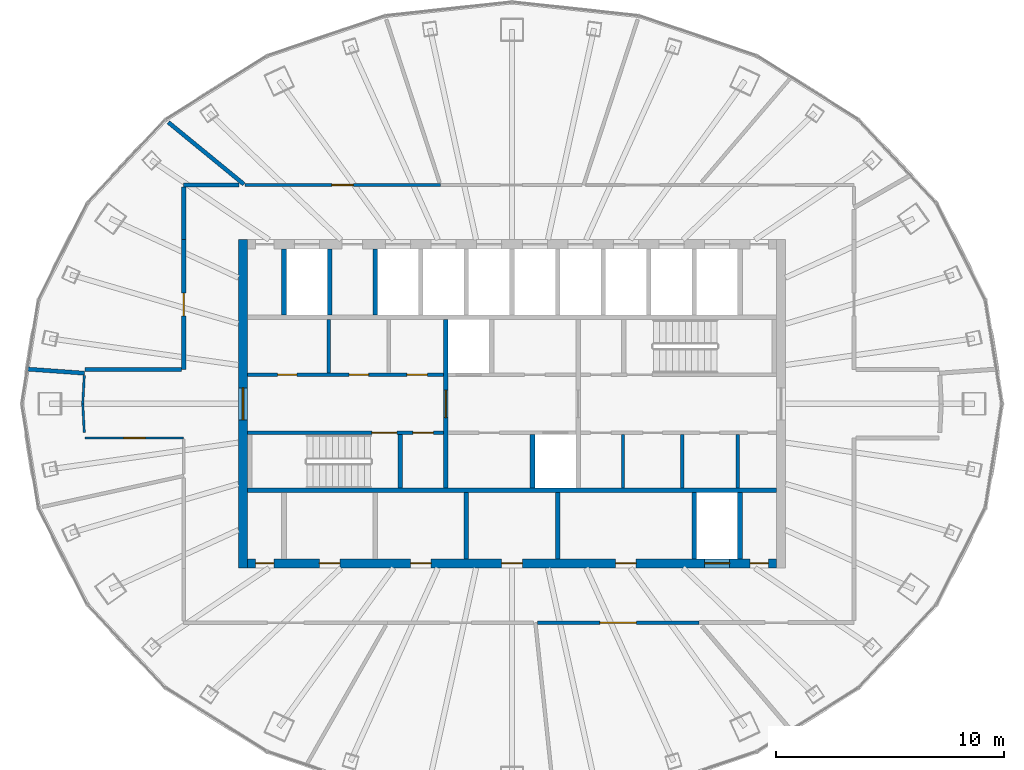
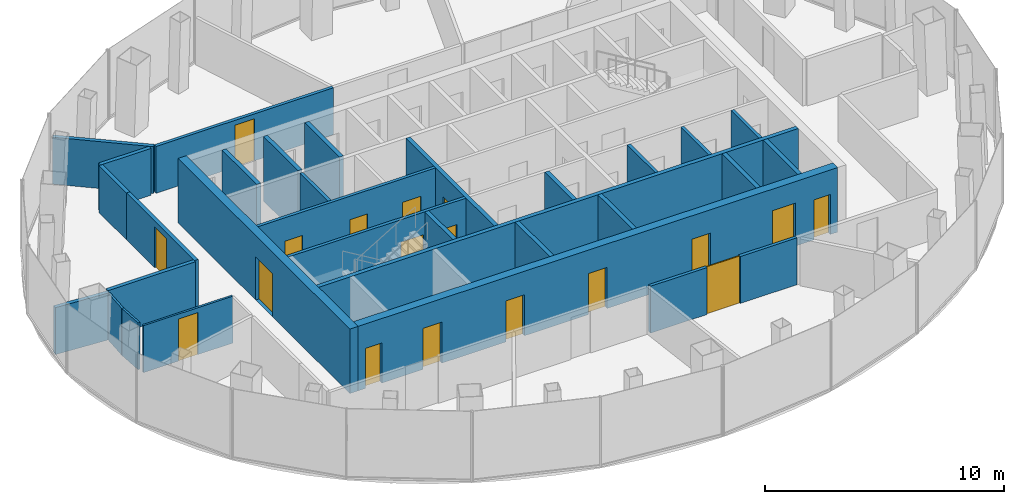
# One storey, part 9 of 12: 30 walls, 18 doors, 18 openings.
"""IFC4 building model written with IfcOpenShell, lengths in metres."""

from ifc_helpers import new_model, si_unit, direction, frame, frame_2d, origin, place, context, subcontext, project, spatial, rectangle, extrude, material, layer, layer_set, type_object, element, fill, save


model = new_model("IFC4")

# Units and contexts
model_context = context("Model", 3, precision=1e-05, world=origin(), true_north=direction((0.0, 1.0)))
body_context = subcontext(model_context, "Body", "Model", "MODEL_VIEW")
ifc_project = project(units=[si_unit("LENGTHUNIT", "METRE"), si_unit("AREAUNIT", "SQUARE_METRE"), si_unit("VOLUMEUNIT", "CUBIC_METRE"), si_unit("PLANEANGLEUNIT", "RADIAN"), si_unit("MASSUNIT", "GRAM", prefix="KILO")], contexts=[model_context])

# Site, building, storey
site_placement = place(None, origin())
site = spatial("IfcSite", under=ifc_project, at=site_placement, CompositionType="ELEMENT")
building_placement = place(site_placement, origin())
building = spatial("IfcBuilding", under=site, at=building_placement, Name="Siaravel Broadcast Tower", CompositionType="ELEMENT")
storey_placement = place(building_placement, frame((0.0, 0.0, 235.60009765625)))
storey = spatial("IfcBuildingStorey", under=building, at=storey_placement, Name="L57", CompositionType="ELEMENT", Elevation=235.60009765625)

# Walls
ifc_material_1 = material(Name="Concrete blockwork", Category="masonry")
ifc_layer_1 = layer(ifc_material_1, 0.14990234375)
ifc_layer_set_1 = layer_set([ifc_layer_1], Name="Concrete blockwork")
wall_type_1 = type_object("IfcWallType", Name="Core partition 150", PredefinedType="PARTITIONING", material=ifc_layer_set_1)
for number, where, z_axis, x_axis, name in (
    (1, (-8.0390625, 1.35009765625, 0.0), (0.0, 0.0, 1.0), (0.0, 1.0, 0.0), "L57 core partition PNW0"),
    (2, (4.867919921875, -3.699951171875, 0.0), (0.0, 0.0, 1.0), (0.0, 1.0, 0.0), "L57 core partition PSE0"),
    (3, (7.462890625, -3.699951171875, 0.0), (0.0, 0.0, 1.0), (0.0, 1.0, 0.0), "L57 core partition PSE1"),
    (4, (9.89501953125, -3.699951171875, 0.0), (0.0, 0.0, 1.0), (0.0, 1.0, 0.0), "L57 core partition PSE2"),
):
    element("IfcWall", number, at=place(storey_placement, frame(where, z_axis=z_axis, x_axis=x_axis)), inside=storey, type_object=wall_type_1, Name=name, PredefinedType="PARTITIONING", context=body_context, shape_type="SweptSolid", body=[
        extrude(rectangle(XDim=2.349853515625, YDim=0.14990234375, at=frame_2d((1.1748046875, 0.0))), origin(), (0.0, 0.0, 1.0), 3.2998046875),
    ])
ifc_layer_2 = layer(ifc_material_1, 0.199951171875)
ifc_layer_set_2 = layer_set([ifc_layer_2], Name="Concrete blockwork")
wall_type_2 = type_object("IfcWallType", Name="Core partition 200", PredefinedType="PARTITIONING", material=ifc_layer_set_2)
for number, where, z_axis, x_axis, name in (
    (5, (-2.0, -6.800048828125, 0.0), (0.0, 0.0, 1.0), (0.0, 1.0, 0.0), "L57 core partition PFS2"),
    (6, (2.0, -6.800048828125, 0.0), (0.0, 0.0, 1.0), (0.0, 1.0, 0.0), "L57 core partition PFS4"),
):
    element("IfcWall", number, at=place(storey_placement, frame(where, z_axis=z_axis, x_axis=x_axis)), inside=storey, type_object=wall_type_2, Name=name, PredefinedType="PARTITIONING", context=body_context, shape_type="SweptSolid", body=[
        extrude(rectangle(XDim=2.900146484375, YDim=0.199951171875, at=frame_2d((1.4501953125, 0.0))), origin(), (0.0, 0.0, 1.0), 3.2998046875),
    ])

# Wall, opening, door
ifc_material_2 = material(Name="Concrete C60/75", Category="concrete")
ifc_layer_3 = layer(ifc_material_2, 0.39990234375)
ifc_layer_set_3 = layer_set([ifc_layer_3], Name="Concrete C60/75")
wall_type_3 = type_object("IfcWallType", Name="Core wall 400", PredefinedType="SHEAR", material=ifc_layer_set_3)
wall_1_placement = place(storey_placement, frame((-11.800048828125, -7.199951171875, 0.0), z_axis=(0.0, 0.0, 1.0), x_axis=(0.0, 1.0, 0.0)))
wall_1 = element("IfcWall", 7, at=wall_1_placement, inside=storey, type_object=wall_type_3, Name="L57 core wall OW", PredefinedType="SHEAR", context=body_context, shape_type="SweptSolid", body=[
    extrude(rectangle(XDim=14.39990234375, YDim=0.39990234375, at=frame_2d((7.199951171875, 0.0))), origin(), (0.0, 0.0, 1.0), 3.2998046875),
])
opening_1_placement = place(wall_1_placement, frame((6.5, 0.0, 0.0)))
opening_1 = element("IfcOpeningElement", 8, at=opening_1_placement, cuts=wall_1, Name="Opening L57-DX-W", PredefinedType="OPENING", context=body_context, shape_type="SweptSolid", body=[
    extrude(rectangle(XDim=1.39990234375, YDim=2.199951171875, at=frame_2d((0.699951171875, 1.10009765625))), frame((0.0, 0.2099609375, 0.0), z_axis=(0.0, -1.0, 0.0), x_axis=(1.0, 0.0, 0.0)), (0.0, 0.0, 1.0), 0.419921875),
])
ifc_material_3 = material(Name="Steel", Category="steel")
door_type_1 = type_object("IfcDoorType", Name="Core exit door 1400", OperationType="DOUBLE_DOOR_SINGLE_SWING", PredefinedType="DOOR", material=ifc_material_3)
door_1_placement = place(opening_1_placement, origin())
door_1 = element("IfcDoor", 9, at=door_1_placement, inside=storey, type_object=door_type_1, Name="L57 door DX-W", OperationType="DOUBLE_DOOR_SINGLE_SWING", OverallHeight=2.199951171875, OverallWidth=1.39990234375, PredefinedType="DOOR", context=body_context, shape_type="SweptSolid", body=[
    extrude(rectangle(XDim=1.39990234375, YDim=2.199951171875, at=frame_2d((0.699951171875, 1.10009765625))), frame((0.0, 0.02490234375, 0.0), z_axis=(0.0, -1.0, 0.0), x_axis=(1.0, 0.0, 0.0)), (0.0, 0.0, 1.0), 0.050048828125),
])
fill(opening_1, door_1)

# Wall, openings, doors
wall_2_placement = place(storey_placement, frame((-11.60009765625, -7.0, 0.0), z_axis=(0.0, 0.0, 1.0), x_axis=(1.0, 0.0, 0.0)))
wall_2 = element("IfcWall", 10, at=wall_2_placement, inside=storey, type_object=wall_type_3, Name="L57 core wall OS", PredefinedType="SHEAR", context=body_context, shape_type="SweptSolid", body=[
    extrude(rectangle(XDim=23.2001953125, YDim=0.39990234375, at=frame_2d((11.60009765625, 0.0))), origin(), (0.0, 0.0, 1.0), 3.2998046875),
])
opening_2_placement = place(wall_2_placement, frame((20.050048828125, 0.0, 0.0)))
opening_2 = element("IfcOpeningElement", 11, at=opening_2_placement, cuts=wall_2, Name="Opening LD-SV1-L57", PredefinedType="OPENING", context=body_context, shape_type="SweptSolid", body=[
    extrude(rectangle(XDim=1.10009765625, YDim=2.199951171875, at=frame_2d((0.550048828125, 1.10009765625))), frame((0.0, 0.2099609375, 0.0), z_axis=(0.0, -1.0, 0.0), x_axis=(1.0, 0.0, 0.0)), (0.0, 0.0, 1.0), 0.419921875),
])
opening_3_placement = place(wall_2_placement, frame((3.14990234375, 0.0, 0.0)))
opening_3 = element("IfcOpeningElement", 12, at=opening_3_placement, cuts=wall_2, Name="Opening L57-DFS0", PredefinedType="OPENING", context=body_context, shape_type="SweptSolid", body=[
    extrude(rectangle(XDim=0.89990234375, YDim=2.10009765625, at=frame_2d((0.449951171875, 1.050048828125))), frame((0.0, 0.2099609375, 0.0), z_axis=(0.0, -1.0, 0.0), x_axis=(1.0, 0.0, 0.0)), (0.0, 0.0, 1.0), 0.419921875),
])
opening_4_placement = place(wall_2_placement, frame((7.14990234375, 0.0, 0.0)))
opening_4 = element("IfcOpeningElement", 13, at=opening_4_placement, cuts=wall_2, Name="Opening L57-DFS2", PredefinedType="OPENING", context=body_context, shape_type="SweptSolid", body=[
    extrude(rectangle(XDim=0.89990234375, YDim=2.10009765625, at=frame_2d((0.449951171875, 1.050048828125))), frame((0.0, 0.2099609375, 0.0), z_axis=(0.0, -1.0, 0.0), x_axis=(1.0, 0.0, 0.0)), (0.0, 0.0, 1.0), 0.419921875),
])
opening_5_placement = place(wall_2_placement, frame((11.14990234375, 0.0, 0.0)))
opening_5 = element("IfcOpeningElement", 14, at=opening_5_placement, cuts=wall_2, Name="Opening L57-DFS4", PredefinedType="OPENING", context=body_context, shape_type="SweptSolid", body=[
    extrude(rectangle(XDim=0.89990234375, YDim=2.10009765625, at=frame_2d((0.449951171875, 1.050048828125))), frame((0.0, 0.2099609375, 0.0), z_axis=(0.0, -1.0, 0.0), x_axis=(1.0, 0.0, 0.0)), (0.0, 0.0, 1.0), 0.419921875),
])
opening_6_placement = place(wall_2_placement, frame((16.14990234375, 0.0, 0.0)))
opening_6 = element("IfcOpeningElement", 15, at=opening_6_placement, cuts=wall_2, Name="Opening L57-DFS6", PredefinedType="OPENING", context=body_context, shape_type="SweptSolid", body=[
    extrude(rectangle(XDim=0.89990234375, YDim=2.10009765625, at=frame_2d((0.449951171875, 1.050048828125))), frame((0.0, 0.2099609375, 0.0), z_axis=(0.0, -1.0, 0.0), x_axis=(1.0, 0.0, 0.0)), (0.0, 0.0, 1.0), 0.419921875),
])
opening_7_placement = place(wall_2_placement, frame((0.35009765625, 0.0, 0.0)))
opening_7 = element("IfcOpeningElement", 16, at=opening_7_placement, cuts=wall_2, Name="Opening L57-DRSW", PredefinedType="OPENING", context=body_context, shape_type="SweptSolid", body=[
    extrude(rectangle(XDim=0.800048828125, YDim=2.050048828125, at=frame_2d((0.39990234375, 1.02490234375))), frame((0.0, 0.2099609375, 0.0), z_axis=(0.0, -1.0, 0.0), x_axis=(1.0, 0.0, 0.0)), (0.0, 0.0, 1.0), 0.419921875),
])
opening_8_placement = place(wall_2_placement, frame((22.050048828125, 0.0, 0.0)))
opening_8 = element("IfcOpeningElement", 17, at=opening_8_placement, cuts=wall_2, Name="Opening L57-DRSE", PredefinedType="OPENING", context=body_context, shape_type="SweptSolid", body=[
    extrude(rectangle(XDim=0.800048828125, YDim=2.050048828125, at=frame_2d((0.39990234375, 1.02490234375))), frame((0.0, 0.2099609375, 0.0), z_axis=(0.0, -1.0, 0.0), x_axis=(1.0, 0.0, 0.0)), (0.0, 0.0, 1.0), 0.419921875),
])
ifc_material_4 = material(Name="Timber veneer", Category="wood")
door_type_2 = type_object("IfcDoorType", Name="Core room door 900", OperationType="SINGLE_SWING_LEFT", PredefinedType="DOOR", material=ifc_material_4)
door_2_placement = place(opening_3_placement, origin())
door_2 = element("IfcDoor", 18, at=door_2_placement, inside=storey, type_object=door_type_2, Name="L57 door DFS0", OperationType="SINGLE_SWING_LEFT", OverallHeight=2.10009765625, OverallWidth=0.89990234375, PredefinedType="DOOR", context=body_context, shape_type="SweptSolid", body=[
    extrude(rectangle(XDim=0.89990234375, YDim=2.10009765625, at=frame_2d((0.449951171875, 1.050048828125))), frame((0.0, 0.02490234375, 0.0), z_axis=(0.0, -1.0, 0.0), x_axis=(1.0, 0.0, 0.0)), (0.0, 0.0, 1.0), 0.050048828125),
])
fill(opening_3, door_2)
door_3_placement = place(opening_4_placement, origin())
door_3 = element("IfcDoor", 19, at=door_3_placement, inside=storey, type_object=door_type_2, Name="L57 door DFS2", OperationType="SINGLE_SWING_LEFT", OverallHeight=2.10009765625, OverallWidth=0.89990234375, PredefinedType="DOOR", context=body_context, shape_type="SweptSolid", body=[
    extrude(rectangle(XDim=0.89990234375, YDim=2.10009765625, at=frame_2d((0.449951171875, 1.050048828125))), frame((0.0, 0.02490234375, 0.0), z_axis=(0.0, -1.0, 0.0), x_axis=(1.0, 0.0, 0.0)), (0.0, 0.0, 1.0), 0.050048828125),
])
fill(opening_4, door_3)
door_4_placement = place(opening_5_placement, origin())
door_4 = element("IfcDoor", 20, at=door_4_placement, inside=storey, type_object=door_type_2, Name="L57 door DFS4", OperationType="SINGLE_SWING_LEFT", OverallHeight=2.10009765625, OverallWidth=0.89990234375, PredefinedType="DOOR", context=body_context, shape_type="SweptSolid", body=[
    extrude(rectangle(XDim=0.89990234375, YDim=2.10009765625, at=frame_2d((0.449951171875, 1.050048828125))), frame((0.0, 0.02490234375, 0.0), z_axis=(0.0, -1.0, 0.0), x_axis=(1.0, 0.0, 0.0)), (0.0, 0.0, 1.0), 0.050048828125),
])
fill(opening_5, door_4)
door_5_placement = place(opening_6_placement, origin())
door_5 = element("IfcDoor", 21, at=door_5_placement, inside=storey, type_object=door_type_2, Name="L57 door DFS6", OperationType="SINGLE_SWING_LEFT", OverallHeight=2.10009765625, OverallWidth=0.89990234375, PredefinedType="DOOR", context=body_context, shape_type="SweptSolid", body=[
    extrude(rectangle(XDim=0.89990234375, YDim=2.10009765625, at=frame_2d((0.449951171875, 1.050048828125))), frame((0.0, 0.02490234375, 0.0), z_axis=(0.0, -1.0, 0.0), x_axis=(1.0, 0.0, 0.0)), (0.0, 0.0, 1.0), 0.050048828125),
])
fill(opening_6, door_5)
door_type_3 = type_object("IfcDoorType", Name="Riser door 800", OperationType="SINGLE_SWING_LEFT", PredefinedType="DOOR", material=ifc_material_3)
door_6_placement = place(opening_7_placement, origin())
door_6 = element("IfcDoor", 22, at=door_6_placement, inside=storey, type_object=door_type_3, Name="L57 door DRSW", OperationType="SINGLE_SWING_LEFT", OverallHeight=2.050048828125, OverallWidth=0.800048828125, PredefinedType="DOOR", context=body_context, shape_type="SweptSolid", body=[
    extrude(rectangle(XDim=0.800048828125, YDim=2.050048828125, at=frame_2d((0.39990234375, 1.02490234375))), frame((0.0, 0.02490234375, 0.0), z_axis=(0.0, -1.0, 0.0), x_axis=(1.0, 0.0, 0.0)), (0.0, 0.0, 1.0), 0.050048828125),
])
fill(opening_7, door_6)
door_7_placement = place(opening_8_placement, origin())
door_7 = element("IfcDoor", 23, at=door_7_placement, inside=storey, type_object=door_type_3, Name="L57 door DRSE", OperationType="SINGLE_SWING_LEFT", OverallHeight=2.050048828125, OverallWidth=0.800048828125, PredefinedType="DOOR", context=body_context, shape_type="SweptSolid", body=[
    extrude(rectangle(XDim=0.800048828125, YDim=2.050048828125, at=frame_2d((0.39990234375, 1.02490234375))), frame((0.0, 0.02490234375, 0.0), z_axis=(0.0, -1.0, 0.0), x_axis=(1.0, 0.0, 0.0)), (0.0, 0.0, 1.0), 0.050048828125),
])
fill(opening_8, door_7)
ifc_material_5 = material(Name="Stainless steel 316L", Category="steel")
door_type_4 = type_object("IfcDoorType", Name="Service lift landing door 1100", OperationType="DOUBLE_DOOR_SLIDING", PredefinedType="DOOR", material=ifc_material_5)
door_8_placement = place(opening_2_placement, origin())
door_8 = element("IfcDoor", 24, at=door_8_placement, inside=storey, type_object=door_type_4, Name="Landing door SV1 L57", OperationType="DOUBLE_DOOR_SLIDING", OverallHeight=2.199951171875, OverallWidth=1.10009765625, PredefinedType="DOOR", context=body_context, shape_type="SweptSolid", body=[
    extrude(rectangle(XDim=1.10009765625, YDim=2.199951171875, at=frame_2d((0.550048828125, 1.10009765625))), frame((0.0, 0.02490234375, 0.0), z_axis=(0.0, -1.0, 0.0), x_axis=(1.0, 0.0, 0.0)), (0.0, 0.0, 1.0), 0.050048828125),
])
fill(opening_2, door_8)

ifc_material_6 = material(Name="Gypsum board partition", Category="gypsum")
ifc_layer_4 = layer(ifc_material_6, 0.14990234375)
ifc_layer_set_4 = layer_set([ifc_layer_4], Name="Gypsum board partition")
wall_type_4 = type_object("IfcWallType", Name="Corridor wall 150", PredefinedType="PARTITIONING", material=ifc_layer_set_4)
wall_3_placement = place(storey_placement, frame((-11.60009765625, 1.27490234375, 0.0), z_axis=(0.0, 0.0, 1.0), x_axis=(1.0, 0.0, 0.0)))
wall_3 = element("IfcWall", 25, at=wall_3_placement, inside=storey, type_object=wall_type_4, Name="L57 core partition CNW", PredefinedType="PARTITIONING", context=body_context, shape_type="SweptSolid", body=[
    extrude(rectangle(XDim=8.60009765625, YDim=0.14990234375, at=frame_2d((4.300048828125, 0.0))), origin(), (0.0, 0.0, 1.0), 3.2998046875),
])
opening_9_placement = place(wall_3_placement, frame((1.318115234375, 0.0, 0.0)))
opening_9 = element("IfcOpeningElement", 26, at=opening_9_placement, cuts=wall_3, Name="Opening L57-DNW0", PredefinedType="OPENING", context=body_context, shape_type="SweptSolid", body=[
    extrude(rectangle(XDim=0.85009765625, YDim=2.10009765625, at=frame_2d((0.425048828125, 1.050048828125))), frame((0.0, 0.0849609375, 0.0), z_axis=(0.0, -1.0, 0.0), x_axis=(1.0, 0.0, 0.0)), (0.0, 0.0, 1.0), 0.169921875),
])
opening_10_placement = place(wall_3_placement, frame((4.4560546875, 0.0, 0.0)))
opening_10 = element("IfcOpeningElement", 27, at=opening_10_placement, cuts=wall_3, Name="Opening L57-DNW1", PredefinedType="OPENING", context=body_context, shape_type="SweptSolid", body=[
    extrude(rectangle(XDim=0.85009765625, YDim=2.10009765625, at=frame_2d((0.425048828125, 1.050048828125))), frame((0.0, 0.0849609375, 0.0), z_axis=(0.0, -1.0, 0.0), x_axis=(1.0, 0.0, 0.0)), (0.0, 0.0, 1.0), 0.169921875),
])
opening_11_placement = place(wall_3_placement, frame((6.988037109375, 0.0, 0.0)))
opening_11 = element("IfcOpeningElement", 28, at=opening_11_placement, cuts=wall_3, Name="Opening L57-DNW2", PredefinedType="OPENING", context=body_context, shape_type="SweptSolid", body=[
    extrude(rectangle(XDim=0.89990234375, YDim=2.10009765625, at=frame_2d((0.449951171875, 1.050048828125))), frame((0.0, 0.0849609375, 0.0), z_axis=(0.0, -1.0, 0.0), x_axis=(1.0, 0.0, 0.0)), (0.0, 0.0, 1.0), 0.169921875),
])
door_9_placement = place(opening_11_placement, origin())
door_9 = element("IfcDoor", 29, at=door_9_placement, inside=storey, type_object=door_type_2, Name="L57 door DNW2", OperationType="SINGLE_SWING_LEFT", OverallHeight=2.10009765625, OverallWidth=0.89990234375, PredefinedType="DOOR", context=body_context, shape_type="SweptSolid", body=[
    extrude(rectangle(XDim=0.89990234375, YDim=2.10009765625, at=frame_2d((0.449951171875, 1.050048828125))), frame((0.0, 0.02490234375, 0.0), z_axis=(0.0, -1.0, 0.0), x_axis=(1.0, 0.0, 0.0)), (0.0, 0.0, 1.0), 0.050048828125),
])
fill(opening_11, door_9)
door_type_5 = type_object("IfcDoorType", Name="Core toilet door 850", OperationType="SINGLE_SWING_LEFT", PredefinedType="DOOR", material=ifc_material_4)
door_10_placement = place(opening_9_placement, origin())
door_10 = element("IfcDoor", 30, at=door_10_placement, inside=storey, type_object=door_type_5, Name="L57 door DNW0", OperationType="SINGLE_SWING_LEFT", OverallHeight=2.10009765625, OverallWidth=0.85009765625, PredefinedType="DOOR", context=body_context, shape_type="SweptSolid", body=[
    extrude(rectangle(XDim=0.85009765625, YDim=2.10009765625, at=frame_2d((0.425048828125, 1.050048828125))), frame((0.0, 0.02490234375, 0.0), z_axis=(0.0, -1.0, 0.0), x_axis=(1.0, 0.0, 0.0)), (0.0, 0.0, 1.0), 0.050048828125),
])
fill(opening_9, door_10)
door_11_placement = place(opening_10_placement, origin())
door_11 = element("IfcDoor", 31, at=door_11_placement, inside=storey, type_object=door_type_5, Name="L57 door DNW1", OperationType="SINGLE_SWING_LEFT", OverallHeight=2.10009765625, OverallWidth=0.85009765625, PredefinedType="DOOR", context=body_context, shape_type="SweptSolid", body=[
    extrude(rectangle(XDim=0.85009765625, YDim=2.10009765625, at=frame_2d((0.425048828125, 1.050048828125))), frame((0.0, 0.02490234375, 0.0), z_axis=(0.0, -1.0, 0.0), x_axis=(1.0, 0.0, 0.0)), (0.0, 0.0, 1.0), 0.050048828125),
])
fill(opening_10, door_11)

# Wall, opening, door
wall_4_placement = place(storey_placement, frame((-3.140380859375, 9.60009765625, 0.0), z_axis=(0.0, 0.0, 1.0), x_axis=(-1.0, 0.0, 0.0)))
wall_4 = element("IfcWall", 32, at=wall_4_placement, inside=storey, type_object=wall_type_4, Name="L57 partition 2", PredefinedType="PARTITIONING", context=body_context, shape_type="SweptSolid", body=[
    extrude(rectangle(XDim=8.57958984375, YDim=0.14990234375, at=frame_2d((4.289794921875, 0.0))), origin(), (0.0, 0.0, 1.0), 2.39990234375),
])
opening_12_placement = place(wall_4_placement, frame((3.814697265625, 0.0, 0.0)))
opening_12 = element("IfcOpeningElement", 33, at=opening_12_placement, cuts=wall_4, Name="Opening L57-009", PredefinedType="OPENING", context=body_context, shape_type="SweptSolid", body=[
    extrude(rectangle(XDim=0.949951171875, YDim=2.14990234375, at=frame_2d((0.47509765625, 1.074951171875))), frame((0.0, 0.0849609375, 0.0), z_axis=(0.0, -1.0, 0.0), x_axis=(1.0, 0.0, 0.0)), (0.0, 0.0, 1.0), 0.169921875),
])
door_type_6 = type_object("IfcDoorType", Name="Office door 950", OperationType="SINGLE_SWING_LEFT", PredefinedType="DOOR", material=ifc_material_4)
door_12_placement = place(opening_12_placement, origin())
door_12 = element("IfcDoor", 34, at=door_12_placement, inside=storey, type_object=door_type_6, Name="L57 door to Reception", OperationType="SINGLE_SWING_LEFT", OverallHeight=2.14990234375, OverallWidth=0.949951171875, PredefinedType="DOOR", context=body_context, shape_type="SweptSolid", body=[
    extrude(rectangle(XDim=0.949951171875, YDim=2.14990234375, at=frame_2d((0.47509765625, 1.074951171875))), frame((0.0, 0.02490234375, 0.0), z_axis=(0.0, -1.0, 0.0), x_axis=(1.0, 0.0, 0.0)), (0.0, 0.0, 1.0), 0.050048828125),
])
fill(opening_12, door_12)

wall_5_placement = place(storey_placement, frame((1.11083984375, -9.60009765625, 0.0), z_axis=(0.0, 0.0, 1.0), x_axis=(1.0, 0.0, 0.0)))
wall_5 = element("IfcWall", 35, at=wall_5_placement, inside=storey, type_object=wall_type_4, Name="L57 partition 6", PredefinedType="PARTITIONING", context=body_context, shape_type="SweptSolid", body=[
    extrude(rectangle(XDim=7.095703125, YDim=0.14990234375, at=frame_2d((3.5478515625, 0.0))), origin(), (0.0, 0.0, 1.0), 2.39990234375),
])
opening_13_placement = place(wall_5_placement, frame((2.747802734375, 0.0, 0.0)))
opening_13 = element("IfcOpeningElement", 36, at=opening_13_placement, cuts=wall_5, Name="Opening L57-003", PredefinedType="OPENING", context=body_context, shape_type="SweptSolid", body=[
    extrude(rectangle(XDim=1.60009765625, YDim=2.39990234375, at=frame_2d((0.800048828125, 1.199951171875))), frame((0.0, 0.0849609375, 0.0), z_axis=(0.0, -1.0, 0.0), x_axis=(1.0, 0.0, 0.0)), (0.0, 0.0, 1.0), 0.169921875),
])
door_type_7 = type_object("IfcDoorType", Name="Restaurant double door 1600", OperationType="DOUBLE_DOOR_SINGLE_SWING", PredefinedType="DOOR", material=ifc_material_4)
door_13_placement = place(opening_13_placement, origin())
door_13 = element("IfcDoor", 37, at=door_13_placement, inside=storey, type_object=door_type_7, Name="L57 door to Lounge", OperationType="DOUBLE_DOOR_SINGLE_SWING", OverallHeight=2.39990234375, OverallWidth=1.60009765625, PredefinedType="DOOR", context=body_context, shape_type="SweptSolid", body=[
    extrude(rectangle(XDim=1.60009765625, YDim=2.39990234375, at=frame_2d((0.800048828125, 1.199951171875))), frame((0.0, 0.02490234375, 0.0), z_axis=(0.0, -1.0, 0.0), x_axis=(1.0, 0.0, 0.0)), (0.0, 0.0, 1.0), 0.050048828125),
])
fill(opening_13, door_13)

ifc_material_7 = material(Name="Glazed aluminium partition", Category="aluminium")
ifc_layer_5 = layer(ifc_material_7, 0.10009765625)
ifc_layer_set_5 = layer_set([ifc_layer_5], Name="Glazed aluminium partition")
wall_type_5 = type_object("IfcWallType", Name="Glazed meeting room partition 100", PredefinedType="PARTITIONING", material=ifc_layer_set_5)
wall_6_placement = place(storey_placement, frame((-18.721923828125, -1.5, 0.0), z_axis=(0.0, 0.0, 1.0), x_axis=(1.0, 0.0, 0.0)))
wall_6 = element("IfcWall", 38, at=wall_6_placement, inside=storey, type_object=wall_type_5, Name="L57 partition 20", PredefinedType="PARTITIONING", context=body_context, shape_type="SweptSolid", body=[
    extrude(rectangle(XDim=4.322021484375, YDim=0.10009765625, at=frame_2d((2.1611328125, 0.0))), origin(), (0.0, 0.0, 1.0), 2.39990234375),
])
opening_14_placement = place(wall_6_placement, frame((1.68603515625, 0.0, 0.0)))
opening_14 = element("IfcOpeningElement", 39, at=opening_14_placement, cuts=wall_6, Name="Opening L57-011", PredefinedType="OPENING", context=body_context, shape_type="SweptSolid", body=[
    extrude(rectangle(XDim=0.949951171875, YDim=2.14990234375, at=frame_2d((0.47509765625, 1.074951171875))), frame((0.0, 0.06005859375, 0.0), z_axis=(0.0, -1.0, 0.0), x_axis=(1.0, 0.0, 0.0)), (0.0, 0.0, 1.0), 0.1201171875),
])
door_14_placement = place(opening_14_placement, origin())
door_14 = element("IfcDoor", 40, at=door_14_placement, inside=storey, type_object=door_type_6, Name="L57 door to Private dining room", OperationType="SINGLE_SWING_LEFT", OverallHeight=2.14990234375, OverallWidth=0.949951171875, PredefinedType="DOOR", context=body_context, shape_type="SweptSolid", body=[
    extrude(rectangle(XDim=0.949951171875, YDim=2.14990234375, at=frame_2d((0.47509765625, 1.074951171875))), frame((0.0, 0.02490234375, 0.0), z_axis=(0.0, -1.0, 0.0), x_axis=(1.0, 0.0, 0.0)), (0.0, 0.0, 1.0), 0.050048828125),
])
fill(opening_14, door_14)

# Walls
wall_7_placement = place(storey_placement, frame((-18.76171875, 1.252197265625, 0.0), z_axis=(0.0, 0.0, 1.0), x_axis=(-0.053151512, -0.998586459, 0.0)))
element("IfcWall", 41, at=wall_7_placement, inside=storey, type_object=wall_type_5, Name="L57 partition 34", PredefinedType="PARTITIONING", context=body_context, shape_type="SweptSolid", body=[
    extrude(rectangle(XDim=1.25390625, YDim=0.10009765625, at=frame_2d((0.626953125, 0.0))), origin(), (0.0, 0.0, 1.0), 2.39990234375),
])
wall_8_placement = place(storey_placement, frame((-18.828369140625, 0.0, 0.0), z_axis=(0.0, 0.0, 1.0), x_axis=(0.053110209, -0.998588657, 0.0)))
element("IfcWall", 42, at=wall_8_placement, inside=storey, type_object=wall_type_5, Name="L57 partition 36", PredefinedType="PARTITIONING", context=body_context, shape_type="SweptSolid", body=[
    extrude(rectangle(XDim=1.2548828125, YDim=0.10009765625, at=frame_2d((0.62744140625, 0.0))), origin(), (0.0, 0.0, 1.0), 2.39990234375),
])

# Wall, opening, door
ifc_layer_6 = layer(ifc_material_1, 0.179931640625)
ifc_layer_set_6 = layer_set([ifc_layer_6], Name="Concrete blockwork")
wall_type_6 = type_object("IfcWallType", Name="Service room fire partition 180", PredefinedType="PARTITIONING", material=ifc_layer_set_6)
wall_9_placement = place(storey_placement, frame((-14.39990234375, 7.2119140625, 0.0), z_axis=(0.0, 0.0, 1.0), x_axis=(0.0, -1.0, 0.0)))
wall_9 = element("IfcWall", 43, at=wall_9_placement, inside=storey, type_object=wall_type_6, Name="L57 partition 15", PredefinedType="PARTITIONING", context=body_context, shape_type="SweptSolid", body=[
    extrude(rectangle(XDim=5.7119140625, YDim=0.179931640625, at=frame_2d((2.85595703125, 0.0))), origin(), (0.0, 0.0, 1.0), 2.39990234375),
])
opening_15_placement = place(wall_9_placement, frame((2.35595703125, 0.0, 0.0)))
opening_15 = element("IfcOpeningElement", 44, at=opening_15_placement, cuts=wall_9, Name="Opening L57-010", PredefinedType="OPENING", context=body_context, shape_type="SweptSolid", body=[
    extrude(rectangle(XDim=1.0, YDim=2.10009765625, at=frame_2d((0.5, 1.050048828125))), frame((0.0, 0.099853515625, 0.0), z_axis=(0.0, -1.0, 0.0), x_axis=(1.0, 0.0, 0.0)), (0.0, 0.0, 1.0), 0.199951171875),
])
door_type_8 = type_object("IfcDoorType", Name="Service room door 1000", OperationType="SINGLE_SWING_LEFT", PredefinedType="DOOR", material=ifc_material_3)
door_15_placement = place(opening_15_placement, origin())
door_15 = element("IfcDoor", 45, at=door_15_placement, inside=storey, type_object=door_type_8, Name="L57 door to Library", OperationType="SINGLE_SWING_RIGHT", OverallHeight=2.10009765625, OverallWidth=1.0, PredefinedType="DOOR", context=body_context, shape_type="SweptSolid", body=[
    extrude(rectangle(XDim=1.0, YDim=2.10009765625, at=frame_2d((0.5, 1.050048828125))), frame((0.0, 0.02490234375, 0.0), z_axis=(0.0, -1.0, 0.0), x_axis=(1.0, 0.0, 0.0)), (0.0, 0.0, 1.0), 0.050048828125),
])
fill(opening_15, door_15)

# Walls
wall_10_placement = place(storey_placement, frame((-15.074951171875, 12.34814453125, 0.0), z_axis=(0.0, 0.0, 1.0), x_axis=(0.773594361, -0.633681122, 0.0)))
element("IfcWall", 46, at=wall_10_placement, inside=storey, type_object=wall_type_6, Name="L57 partition 19", PredefinedType="PARTITIONING", context=body_context, shape_type="SweptSolid", body=[
    extrude(rectangle(XDim=4.287353515625, YDim=0.179931640625, at=frame_2d((2.1435546875, 0.0))), origin(), (0.0, 0.0, 1.0), 2.39990234375),
])
wall_11_placement = place(storey_placement, frame((-14.491943359375, 1.5, 0.0), z_axis=(0.0, 0.0, 1.0), x_axis=(-1.0, 0.0, 0.0)))
element("IfcWall", 47, at=wall_11_placement, inside=storey, type_object=wall_type_6, Name="L57 partition 21", PredefinedType="PARTITIONING", context=body_context, shape_type="SweptSolid", body=[
    extrude(rectangle(XDim=4.22998046875, YDim=0.179931640625, at=frame_2d((2.114990234375, 0.0))), origin(), (0.0, 0.0, 1.0), 2.39990234375),
])
wall_12_placement = place(storey_placement, frame((-11.973876953125, 9.60009765625, 0.0), z_axis=(0.0, 0.0, 1.0), x_axis=(-1.0, 0.0, 0.0)))
element("IfcWall", 48, at=wall_12_placement, inside=storey, type_object=wall_type_6, Name="L57 partition 26", PredefinedType="PARTITIONING", context=body_context, shape_type="SweptSolid", body=[
    extrude(rectangle(XDim=2.426025390625, YDim=0.179931640625, at=frame_2d((1.212890625, 0.0))), origin(), (0.0, 0.0, 1.0), 2.39990234375),
])
wall_13_placement = place(storey_placement, frame((-21.250732421875, 1.52294921875, 0.0), z_axis=(0.0, 0.0, 1.0), x_axis=(0.997442317, -0.071476043, 0.0)))
element("IfcWall", 49, at=wall_13_placement, inside=storey, type_object=wall_type_6, Name="L57 partition 28", PredefinedType="PARTITIONING", context=body_context, shape_type="SweptSolid", body=[
    extrude(rectangle(XDim=2.500244140625, YDim=0.179931640625, at=frame_2d((1.25, 0.0))), origin(), (0.0, 0.0, 1.0), 2.39990234375),
])
wall_14_placement = place(storey_placement, frame((-14.39990234375, 9.508056640625, 0.0), z_axis=(0.0, 0.0, 1.0), x_axis=(0.0, -1.0, 0.0)))
element("IfcWall", 50, at=wall_14_placement, inside=storey, type_object=wall_type_6, Name="L57 partition 30", PredefinedType="PARTITIONING", context=body_context, shape_type="SweptSolid", body=[
    extrude(rectangle(XDim=2.295166015625, YDim=0.179931640625, at=frame_2d((1.1474609375, 0.0))), origin(), (0.0, 0.0, 1.0), 2.39990234375),
])

# Wall, openings, doors
ifc_layer_7 = layer(ifc_material_2, 0.14990234375)
ifc_layer_set_7 = layer_set([ifc_layer_7], Name="Concrete C60/75")
wall_type_7 = type_object("IfcWallType", Name="Shaft wall 150", PredefinedType="SHEAR", material=ifc_layer_set_7)
wall_15_placement = place(storey_placement, frame((-11.60009765625, -1.27490234375, 0.0), z_axis=(0.0, 0.0, 1.0), x_axis=(1.0, 0.0, 0.0)))
wall_15 = element("IfcWall", 51, at=wall_15_placement, inside=storey, type_object=wall_type_7, Name="L57 core wall CSW", PredefinedType="SHEAR", context=body_context, shape_type="SweptSolid", body=[
    extrude(rectangle(XDim=8.60009765625, YDim=0.14990234375, at=frame_2d((4.300048828125, 0.0))), origin(), (0.0, 0.0, 1.0), 3.2998046875),
])
opening_16_placement = place(wall_15_placement, frame((5.449951171875, 0.0, 0.0)))
opening_16 = element("IfcOpeningElement", 52, at=opening_16_placement, cuts=wall_15, Name="Opening L57-DS-1", PredefinedType="OPENING", context=body_context, shape_type="SweptSolid", body=[
    extrude(rectangle(XDim=1.10009765625, YDim=2.14990234375, at=frame_2d((0.550048828125, 1.074951171875))), frame((0.0, 0.0849609375, 0.0), z_axis=(0.0, -1.0, 0.0), x_axis=(1.0, 0.0, 0.0)), (0.0, 0.0, 1.0), 0.169921875),
])
opening_17_placement = place(wall_15_placement, frame((7.25, 0.0, 0.0)))
opening_17 = element("IfcOpeningElement", 53, at=opening_17_placement, cuts=wall_15, Name="Opening L57-DSW0", PredefinedType="OPENING", context=body_context, shape_type="SweptSolid", body=[
    extrude(rectangle(XDim=0.89990234375, YDim=2.10009765625, at=frame_2d((0.449951171875, 1.050048828125))), frame((0.0, 0.0849609375, 0.0), z_axis=(0.0, -1.0, 0.0), x_axis=(1.0, 0.0, 0.0)), (0.0, 0.0, 1.0), 0.169921875),
])
door_16_placement = place(opening_17_placement, origin())
door_16 = element("IfcDoor", 54, at=door_16_placement, inside=storey, type_object=door_type_2, Name="L57 door DSW0", OperationType="SINGLE_SWING_LEFT", OverallHeight=2.10009765625, OverallWidth=0.89990234375, PredefinedType="DOOR", context=body_context, shape_type="SweptSolid", body=[
    extrude(rectangle(XDim=0.89990234375, YDim=2.10009765625, at=frame_2d((0.449951171875, 1.050048828125))), frame((0.0, 0.02490234375, 0.0), z_axis=(0.0, -1.0, 0.0), x_axis=(1.0, 0.0, 0.0)), (0.0, 0.0, 1.0), 0.050048828125),
])
fill(opening_17, door_16)
door_type_9 = type_object("IfcDoorType", Name="Stair door 1100", OperationType="SINGLE_SWING_LEFT", PredefinedType="DOOR", material=ifc_material_3)
door_17_placement = place(opening_16_placement, origin())
door_17 = element("IfcDoor", 55, at=door_17_placement, inside=storey, type_object=door_type_9, Name="L57 door DS-1", OperationType="SINGLE_SWING_LEFT", OverallHeight=2.14990234375, OverallWidth=1.10009765625, PredefinedType="DOOR", context=body_context, shape_type="SweptSolid", body=[
    extrude(rectangle(XDim=1.10009765625, YDim=2.14990234375, at=frame_2d((0.550048828125, 1.074951171875))), frame((0.0, 0.02490234375, 0.0), z_axis=(0.0, -1.0, 0.0), x_axis=(1.0, 0.0, 0.0)), (0.0, 0.0, 1.0), 0.050048828125),
])
fill(opening_16, door_17)

# Walls
ifc_layer_8 = layer(ifc_material_2, 0.199951171875)
ifc_layer_set_8 = layer_set([ifc_layer_8], Name="Concrete C60/75")
wall_type_8 = type_object("IfcWallType", Name="Shaft wall 200", PredefinedType="SHEAR", material=ifc_layer_set_8)
wall_16_placement = place(storey_placement, frame((-11.60009765625, -3.800048828125, 0.0), z_axis=(0.0, 0.0, 1.0), x_axis=(1.0, 0.0, 0.0)))
element("IfcWall", 56, at=wall_16_placement, inside=storey, type_object=wall_type_8, Name="L57 core wall BS", PredefinedType="SHEAR", context=body_context, shape_type="SweptSolid", body=[
    extrude(rectangle(XDim=23.2001953125, YDim=0.199951171875, at=frame_2d((11.60009765625, 0.0))), origin(), (0.0, 0.0, 1.0), 3.2998046875),
])
for number, where, z_axis, x_axis, name in (
    (57, (8.0, -6.800048828125, 0.0), (0.0, 0.0, 1.0), (0.0, 1.0, 0.0), "L57 core wall SWS9"),
    (58, (10.0, -6.800048828125, 0.0), (0.0, 0.0, 1.0), (0.0, 1.0, 0.0), "L57 core wall SWS10"),
    (59, (-10.0, 3.89990234375, 0.0), (0.0, 0.0, 1.0), (0.0, 1.0, 0.0), "L57 core wall SWN0"),
    (60, (-8.0, 3.89990234375, 0.0), (0.0, 0.0, 1.0), (0.0, 1.0, 0.0), "L57 core wall SWN1"),
    (61, (-6.0, 3.89990234375, 0.0), (0.0, 0.0, 1.0), (0.0, 1.0, 0.0), "L57 core wall SWN2"),
):
    element("IfcWall", number, at=place(storey_placement, frame(where, z_axis=z_axis, x_axis=x_axis)), inside=storey, type_object=wall_type_8, Name=name, PredefinedType="SHEAR", context=body_context, shape_type="SweptSolid", body=[
        extrude(rectangle(XDim=2.900146484375, YDim=0.199951171875, at=frame_2d((1.4501953125, 0.0))), origin(), (0.0, 0.0, 1.0), 3.2998046875),
    ])

# Wall, opening, door
wall_17_placement = place(storey_placement, frame((-2.89990234375, -3.699951171875, 0.0), z_axis=(0.0, 0.0, 1.0), x_axis=(0.0, 1.0, 0.0)))
wall_17 = element("IfcWall", 62, at=wall_17_placement, inside=storey, type_object=wall_type_8, Name="L57 core wall LW", PredefinedType="SHEAR", context=body_context, shape_type="SweptSolid", body=[
    extrude(rectangle(XDim=7.39990234375, YDim=0.199951171875, at=frame_2d((3.699951171875, 0.0))), origin(), (0.0, 0.0, 1.0), 3.2998046875),
])
opening_18_placement = place(wall_17_placement, frame((3.10009765625, 0.0, 0.0)))
opening_18 = element("IfcOpeningElement", 63, at=opening_18_placement, cuts=wall_17, Name="Opening L57-DL-W", PredefinedType="OPENING", context=body_context, shape_type="SweptSolid", body=[
    extrude(rectangle(XDim=1.199951171875, YDim=2.199951171875, at=frame_2d((0.60009765625, 1.10009765625))), frame((0.0, 0.10986328125, 0.0), z_axis=(0.0, -1.0, 0.0), x_axis=(1.0, 0.0, 0.0)), (0.0, 0.0, 1.0), 0.219970703125),
])
door_type_10 = type_object("IfcDoorType", Name="Firefighting lobby door 1200", OperationType="SINGLE_SWING_LEFT", PredefinedType="DOOR", material=ifc_material_3)
door_18_placement = place(opening_18_placement, origin())
door_18 = element("IfcDoor", 64, at=door_18_placement, inside=storey, type_object=door_type_10, Name="L57 door DL-W", OperationType="SINGLE_SWING_LEFT", OverallHeight=2.199951171875, OverallWidth=1.199951171875, PredefinedType="DOOR", context=body_context, shape_type="SweptSolid", body=[
    extrude(rectangle(XDim=1.199951171875, YDim=2.199951171875, at=frame_2d((0.60009765625, 1.10009765625))), frame((0.0, 0.02490234375, 0.0), z_axis=(0.0, -1.0, 0.0), x_axis=(1.0, 0.0, 0.0)), (0.0, 0.0, 1.0), 0.050048828125),
])
fill(opening_18, door_18)

# Walls
for number, where, z_axis, x_axis, name in (
    (65, (0.89990234375, -3.699951171875, 0.0), (0.0, 0.0, 1.0), (0.0, 1.0, 0.0), "L57 core wall FF2W"),
    (66, (-4.89990234375, -3.699951171875, 0.0), (0.0, 0.0, 1.0), (0.0, 1.0, 0.0), "L57 core wall ST1E"),
):
    element("IfcWall", number, at=place(storey_placement, frame(where, z_axis=z_axis, x_axis=x_axis)), inside=storey, type_object=wall_type_8, Name=name, PredefinedType="SHEAR", context=body_context, shape_type="SweptSolid", body=[
        extrude(rectangle(XDim=2.349853515625, YDim=0.199951171875, at=frame_2d((1.1748046875, 0.0))), origin(), (0.0, 0.0, 1.0), 3.2998046875),
    ])

save(model, "model.ifc")
